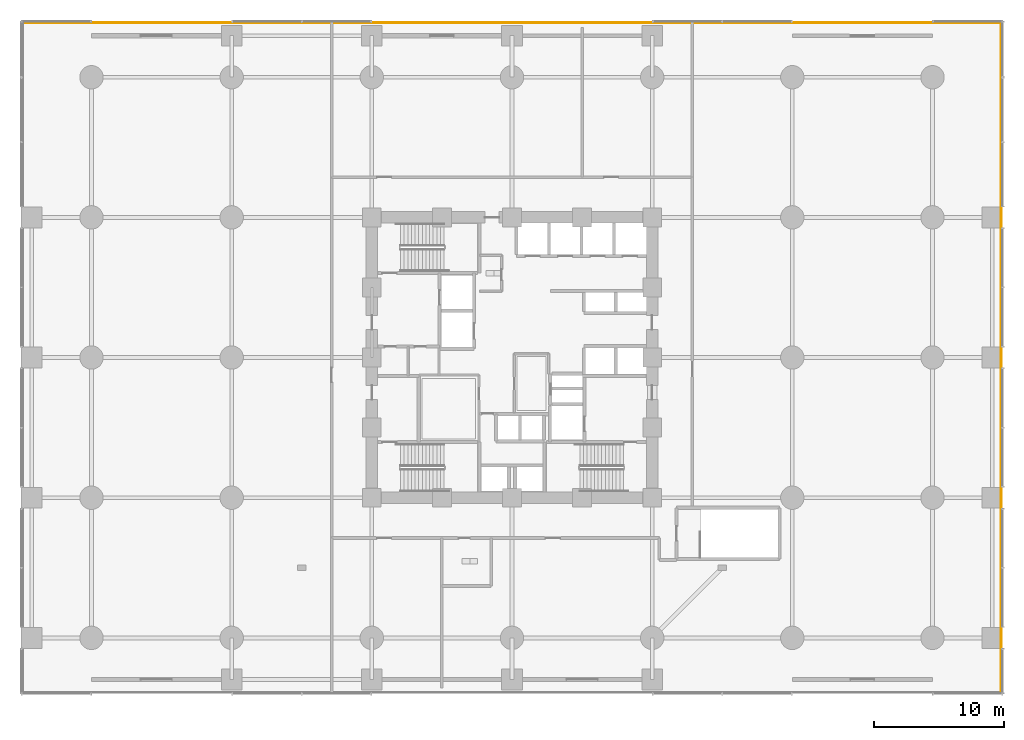
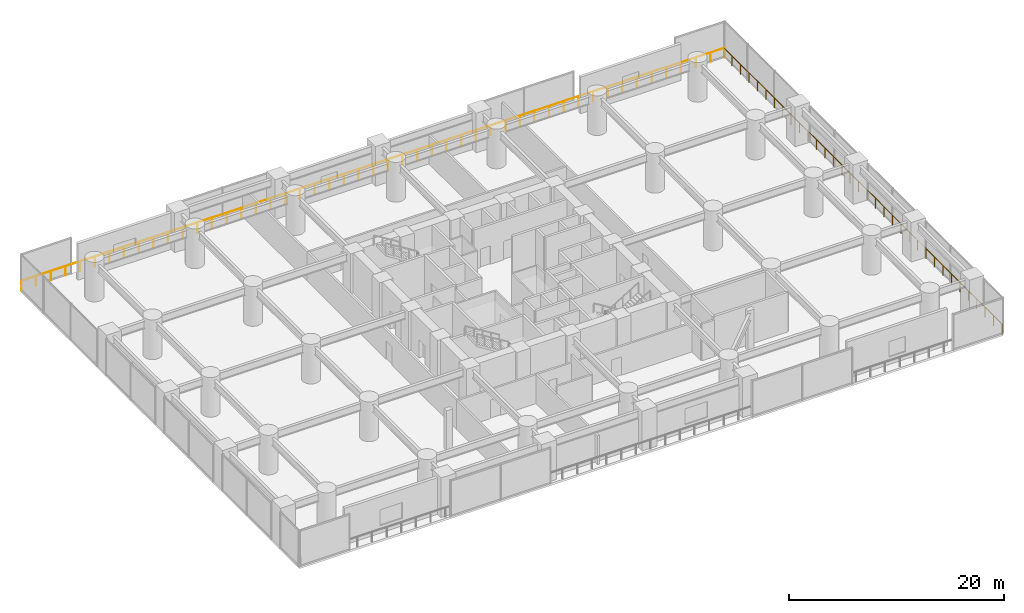
# One storey, part 34 of 35: 2 railings.
"""IFC4 building model written with IfcOpenShell, lengths in metres."""

from ifc_helpers import new_model, si_unit, direction, frame, origin, origin_2d, place, context, subcontext, project, spatial, circle, extrude, material, type_object, element, save


model = new_model("IFC4")

# Units and contexts
model_context = context("Model", 3, precision=1e-05, world=origin(), true_north=direction((0.0, 1.0)))
body_context = subcontext(model_context, "Body", "Model", "MODEL_VIEW")
ifc_project = project(units=[si_unit("LENGTHUNIT", "METRE"), si_unit("AREAUNIT", "SQUARE_METRE"), si_unit("VOLUMEUNIT", "CUBIC_METRE"), si_unit("PLANEANGLEUNIT", "RADIAN"), si_unit("MASSUNIT", "GRAM", prefix="KILO")], contexts=[model_context])

# Site, building, storey
site_placement = place(None, origin())
site = spatial("IfcSite", under=ifc_project, at=site_placement, CompositionType="ELEMENT")
building_placement = place(site_placement, origin())
building = spatial("IfcBuilding", under=site, at=building_placement, Name="Surkhivell Harbour Commons", CompositionType="ELEMENT")
storey_placement = place(building_placement, frame((0.0, 0.0, 13.5)))
storey = spatial("IfcBuildingStorey", under=building, at=storey_placement, Name="L03", CompositionType="ELEMENT", Elevation=13.5)

# Railings
ifc_material = material(Name="Laminated safety glass and stainless steel S355 balustrade", Category="steel")
railing_type = type_object("IfcRailingType", Name="RAL-BAL-1150", PredefinedType="BALUSTRADE", material=ifc_material)
railing_1_placement = place(storey_placement, frame((37.699951171875, -25.89990234375, 0.0)))
element("IfcRailing", 1, at=railing_1_placement, inside=storey, type_object=railing_type, Name="L03 Perimeter Safety Guard 02", PredefinedType="BALUSTRADE", context=body_context, shape_type="SweptSolid", body=[
    extrude(circle(Radius=0.02392578125, at=origin_2d()), frame((0.0, 0.0, 1.1259765625), z_axis=(0.0, 1.0, 0.0), x_axis=(-1.0, 0.0, 0.0)), (0.0, 0.0, 1.0), 51.7998046875),
    extrude(circle(Radius=0.02099609375, at=origin_2d()), origin(), (0.0, 0.0, 1.0), 1.101806640625),
    extrude(circle(Radius=0.02099609375, at=origin_2d()), frame((0.0, 1.569580078125, 0.0)), (0.0, 0.0, 1.0), 1.101806640625),
    extrude(circle(Radius=0.02099609375, at=origin_2d()), frame((0.0, 3.139404296875, 0.0)), (0.0, 0.0, 1.0), 1.101806640625),
    extrude(circle(Radius=0.02099609375, at=origin_2d()), frame((0.0, 4.708984375, 0.0)), (0.0, 0.0, 1.0), 1.101806640625),
    extrude(circle(Radius=0.02099609375, at=origin_2d()), frame((0.0, 6.27880859375, 0.0)), (0.0, 0.0, 1.0), 1.101806640625),
    extrude(circle(Radius=0.02099609375, at=origin_2d()), frame((0.0, 7.848388671875, 0.0)), (0.0, 0.0, 1.0), 1.101806640625),
    extrude(circle(Radius=0.02099609375, at=origin_2d()), frame((0.0, 9.418212890625, 0.0)), (0.0, 0.0, 1.0), 1.101806640625),
    extrude(circle(Radius=0.02099609375, at=origin_2d()), frame((0.0, 10.98779296875, 0.0)), (0.0, 0.0, 1.0), 1.101806640625),
    extrude(circle(Radius=0.02099609375, at=origin_2d()), frame((0.0, 12.5576171875, 0.0)), (0.0, 0.0, 1.0), 1.101806640625),
    extrude(circle(Radius=0.02099609375, at=origin_2d()), frame((0.0, 14.127197265625, 0.0)), (0.0, 0.0, 1.0), 1.101806640625),
    extrude(circle(Radius=0.02099609375, at=origin_2d()), frame((0.0, 15.697021484375, 0.0)), (0.0, 0.0, 1.0), 1.101806640625),
    extrude(circle(Radius=0.02099609375, at=origin_2d()), frame((0.0, 17.2666015625, 0.0)), (0.0, 0.0, 1.0), 1.101806640625),
    extrude(circle(Radius=0.02099609375, at=origin_2d()), frame((0.0, 18.836181640625, 0.0)), (0.0, 0.0, 1.0), 1.101806640625),
    extrude(circle(Radius=0.02099609375, at=origin_2d()), frame((0.0, 20.406005859375, 0.0)), (0.0, 0.0, 1.0), 1.101806640625),
    extrude(circle(Radius=0.02099609375, at=origin_2d()), frame((0.0, 21.9755859375, 0.0)), (0.0, 0.0, 1.0), 1.101806640625),
    extrude(circle(Radius=0.02099609375, at=origin_2d()), frame((0.0, 23.54541015625, 0.0)), (0.0, 0.0, 1.0), 1.101806640625),
    extrude(circle(Radius=0.02099609375, at=origin_2d()), frame((0.0, 25.114990234375, 0.0)), (0.0, 0.0, 1.0), 1.101806640625),
    extrude(circle(Radius=0.02099609375, at=origin_2d()), frame((0.0, 26.684814453125, 0.0)), (0.0, 0.0, 1.0), 1.101806640625),
    extrude(circle(Radius=0.02099609375, at=origin_2d()), frame((0.0, 28.25439453125, 0.0)), (0.0, 0.0, 1.0), 1.101806640625),
    extrude(circle(Radius=0.02099609375, at=origin_2d()), frame((0.0, 29.82421875, 0.0)), (0.0, 0.0, 1.0), 1.101806640625),
    extrude(circle(Radius=0.02099609375, at=origin_2d()), frame((0.0, 31.393798828125, 0.0)), (0.0, 0.0, 1.0), 1.101806640625),
    extrude(circle(Radius=0.02099609375, at=origin_2d()), frame((0.0, 32.963623046875, 0.0)), (0.0, 0.0, 1.0), 1.101806640625),
    extrude(circle(Radius=0.02099609375, at=origin_2d()), frame((0.0, 34.533203125, 0.0)), (0.0, 0.0, 1.0), 1.101806640625),
    extrude(circle(Radius=0.02099609375, at=origin_2d()), frame((0.0, 36.102783203125, 0.0)), (0.0, 0.0, 1.0), 1.101806640625),
    extrude(circle(Radius=0.02099609375, at=origin_2d()), frame((0.0, 37.672607421875, 0.0)), (0.0, 0.0, 1.0), 1.101806640625),
    extrude(circle(Radius=0.02099609375, at=origin_2d()), frame((0.0, 39.2421875, 0.0)), (0.0, 0.0, 1.0), 1.101806640625),
    extrude(circle(Radius=0.02099609375, at=origin_2d()), frame((0.0, 40.81201171875, 0.0)), (0.0, 0.0, 1.0), 1.101806640625),
    extrude(circle(Radius=0.02099609375, at=origin_2d()), frame((0.0, 42.381591796875, 0.0)), (0.0, 0.0, 1.0), 1.101806640625),
    extrude(circle(Radius=0.02099609375, at=origin_2d()), frame((0.0, 43.951416015625, 0.0)), (0.0, 0.0, 1.0), 1.101806640625),
    extrude(circle(Radius=0.02099609375, at=origin_2d()), frame((0.0, 45.52099609375, 0.0)), (0.0, 0.0, 1.0), 1.101806640625),
    extrude(circle(Radius=0.02099609375, at=origin_2d()), frame((0.0, 47.0908203125, 0.0)), (0.0, 0.0, 1.0), 1.101806640625),
    extrude(circle(Radius=0.02099609375, at=origin_2d()), frame((0.0, 48.660400390625, 0.0)), (0.0, 0.0, 1.0), 1.101806640625),
    extrude(circle(Radius=0.02099609375, at=origin_2d()), frame((0.0, 50.230224609375, 0.0)), (0.0, 0.0, 1.0), 1.101806640625),
    extrude(circle(Radius=0.02099609375, at=origin_2d()), frame((0.0, 51.7998046875, 0.0)), (0.0, 0.0, 1.0), 1.101806640625),
])
railing_2_placement = place(storey_placement, frame((37.800048828125, 25.800048828125, 0.0)))
element("IfcRailing", 2, at=railing_2_placement, inside=storey, type_object=railing_type, Name="L03 Perimeter Safety Guard 03", PredefinedType="BALUSTRADE", context=body_context, shape_type="SweptSolid", body=[
    extrude(circle(Radius=0.02392578125, at=origin_2d()), frame((0.0, 0.0, 1.1259765625), z_axis=(-1.0, 0.0, 0.0), x_axis=(0.0, -1.0, 0.0)), (0.0, 0.0, 1.0), 75.60009765625),
    extrude(circle(Radius=0.02099609375, at=origin_2d()), origin(), (0.0, 0.0, 1.0), 1.101806640625),
    extrude(circle(Radius=0.02099609375, at=origin_2d()), frame((-1.574951171875, 0.0, 0.0)), (0.0, 0.0, 1.0), 1.101806640625),
    extrude(circle(Radius=0.02099609375, at=origin_2d()), frame((-3.14990234375, 0.0, 0.0)), (0.0, 0.0, 1.0), 1.101806640625),
    extrude(circle(Radius=0.02099609375, at=origin_2d()), frame((-4.72509765625, 0.0, 0.0)), (0.0, 0.0, 1.0), 1.101806640625),
    extrude(circle(Radius=0.02099609375, at=origin_2d()), frame((-6.300048828125, 0.0, 0.0)), (0.0, 0.0, 1.0), 1.101806640625),
    extrude(circle(Radius=0.02099609375, at=origin_2d()), frame((-7.875, 0.0, 0.0)), (0.0, 0.0, 1.0), 1.101806640625),
    extrude(circle(Radius=0.02099609375, at=origin_2d()), frame((-9.449951171875, 0.0, 0.0)), (0.0, 0.0, 1.0), 1.101806640625),
    extrude(circle(Radius=0.02099609375, at=origin_2d()), frame((-11.02490234375, 0.0, 0.0)), (0.0, 0.0, 1.0), 1.101806640625),
    extrude(circle(Radius=0.02099609375, at=origin_2d()), frame((-12.60009765625, 0.0, 0.0)), (0.0, 0.0, 1.0), 1.101806640625),
    extrude(circle(Radius=0.02099609375, at=origin_2d()), frame((-14.175048828125, 0.0, 0.0)), (0.0, 0.0, 1.0), 1.101806640625),
    extrude(circle(Radius=0.02099609375, at=origin_2d()), frame((-15.75, 0.0, 0.0)), (0.0, 0.0, 1.0), 1.101806640625),
    extrude(circle(Radius=0.02099609375, at=origin_2d()), frame((-17.324951171875, 0.0, 0.0)), (0.0, 0.0, 1.0), 1.101806640625),
    extrude(circle(Radius=0.02099609375, at=origin_2d()), frame((-18.89990234375, 0.0, 0.0)), (0.0, 0.0, 1.0), 1.101806640625),
    extrude(circle(Radius=0.02099609375, at=origin_2d()), frame((-20.47509765625, 0.0, 0.0)), (0.0, 0.0, 1.0), 1.101806640625),
    extrude(circle(Radius=0.02099609375, at=origin_2d()), frame((-22.050048828125, 0.0, 0.0)), (0.0, 0.0, 1.0), 1.101806640625),
    extrude(circle(Radius=0.02099609375, at=origin_2d()), frame((-23.625, 0.0, 0.0)), (0.0, 0.0, 1.0), 1.101806640625),
    extrude(circle(Radius=0.02099609375, at=origin_2d()), frame((-25.199951171875, 0.0, 0.0)), (0.0, 0.0, 1.0), 1.101806640625),
    extrude(circle(Radius=0.02099609375, at=origin_2d()), frame((-26.775146484375, 0.0, 0.0)), (0.0, 0.0, 1.0), 1.101806640625),
    extrude(circle(Radius=0.02099609375, at=origin_2d()), frame((-28.35009765625, 0.0, 0.0)), (0.0, 0.0, 1.0), 1.101806640625),
    extrude(circle(Radius=0.02099609375, at=origin_2d()), frame((-29.925048828125, 0.0, 0.0)), (0.0, 0.0, 1.0), 1.101806640625),
    extrude(circle(Radius=0.02099609375, at=origin_2d()), frame((-31.5, 0.0, 0.0)), (0.0, 0.0, 1.0), 1.101806640625),
    extrude(circle(Radius=0.02099609375, at=origin_2d()), frame((-33.074951171875, 0.0, 0.0)), (0.0, 0.0, 1.0), 1.101806640625),
    extrude(circle(Radius=0.02099609375, at=origin_2d()), frame((-34.650146484375, 0.0, 0.0)), (0.0, 0.0, 1.0), 1.101806640625),
    extrude(circle(Radius=0.02099609375, at=origin_2d()), frame((-36.22509765625, 0.0, 0.0)), (0.0, 0.0, 1.0), 1.101806640625),
    extrude(circle(Radius=0.02099609375, at=origin_2d()), frame((-37.800048828125, 0.0, 0.0)), (0.0, 0.0, 1.0), 1.101806640625),
    extrude(circle(Radius=0.02099609375, at=origin_2d()), frame((-39.375, 0.0, 0.0)), (0.0, 0.0, 1.0), 1.101806640625),
    extrude(circle(Radius=0.02099609375, at=origin_2d()), frame((-40.949951171875, 0.0, 0.0)), (0.0, 0.0, 1.0), 1.101806640625),
    extrude(circle(Radius=0.02099609375, at=origin_2d()), frame((-42.525146484375, 0.0, 0.0)), (0.0, 0.0, 1.0), 1.101806640625),
    extrude(circle(Radius=0.02099609375, at=origin_2d()), frame((-44.10009765625, 0.0, 0.0)), (0.0, 0.0, 1.0), 1.101806640625),
    extrude(circle(Radius=0.02099609375, at=origin_2d()), frame((-45.675048828125, 0.0, 0.0)), (0.0, 0.0, 1.0), 1.101806640625),
    extrude(circle(Radius=0.02099609375, at=origin_2d()), frame((-47.25, 0.0, 0.0)), (0.0, 0.0, 1.0), 1.101806640625),
    extrude(circle(Radius=0.02099609375, at=origin_2d()), frame((-48.824951171875, 0.0, 0.0)), (0.0, 0.0, 1.0), 1.101806640625),
    extrude(circle(Radius=0.02099609375, at=origin_2d()), frame((-50.400146484375, 0.0, 0.0)), (0.0, 0.0, 1.0), 1.101806640625),
    extrude(circle(Radius=0.02099609375, at=origin_2d()), frame((-51.97509765625, 0.0, 0.0)), (0.0, 0.0, 1.0), 1.101806640625),
    extrude(circle(Radius=0.02099609375, at=origin_2d()), frame((-53.550048828125, 0.0, 0.0)), (0.0, 0.0, 1.0), 1.101806640625),
    extrude(circle(Radius=0.02099609375, at=origin_2d()), frame((-55.125, 0.0, 0.0)), (0.0, 0.0, 1.0), 1.101806640625),
    extrude(circle(Radius=0.02099609375, at=origin_2d()), frame((-56.7001953125, 0.0, 0.0)), (0.0, 0.0, 1.0), 1.101806640625),
    extrude(circle(Radius=0.02099609375, at=origin_2d()), frame((-58.275146484375, 0.0, 0.0)), (0.0, 0.0, 1.0), 1.101806640625),
    extrude(circle(Radius=0.02099609375, at=origin_2d()), frame((-59.85009765625, 0.0, 0.0)), (0.0, 0.0, 1.0), 1.101806640625),
    extrude(circle(Radius=0.02099609375, at=origin_2d()), frame((-61.425048828125, 0.0, 0.0)), (0.0, 0.0, 1.0), 1.101806640625),
    extrude(circle(Radius=0.02099609375, at=origin_2d()), frame((-63.0, 0.0, 0.0)), (0.0, 0.0, 1.0), 1.101806640625),
    extrude(circle(Radius=0.02099609375, at=origin_2d()), frame((-64.5751953125, 0.0, 0.0)), (0.0, 0.0, 1.0), 1.101806640625),
    extrude(circle(Radius=0.02099609375, at=origin_2d()), frame((-66.150146484375, 0.0, 0.0)), (0.0, 0.0, 1.0), 1.101806640625),
    extrude(circle(Radius=0.02099609375, at=origin_2d()), frame((-67.72509765625, 0.0, 0.0)), (0.0, 0.0, 1.0), 1.101806640625),
    extrude(circle(Radius=0.02099609375, at=origin_2d()), frame((-69.300048828125, 0.0, 0.0)), (0.0, 0.0, 1.0), 1.101806640625),
    extrude(circle(Radius=0.02099609375, at=origin_2d()), frame((-70.875, 0.0, 0.0)), (0.0, 0.0, 1.0), 1.101806640625),
    extrude(circle(Radius=0.02099609375, at=origin_2d()), frame((-72.4501953125, 0.0, 0.0)), (0.0, 0.0, 1.0), 1.101806640625),
    extrude(circle(Radius=0.02099609375, at=origin_2d()), frame((-74.025146484375, 0.0, 0.0)), (0.0, 0.0, 1.0), 1.101806640625),
    extrude(circle(Radius=0.02099609375, at=origin_2d()), frame((-75.60009765625, 0.0, 0.0)), (0.0, 0.0, 1.0), 1.101806640625),
])

save(model, "model.ifc")
